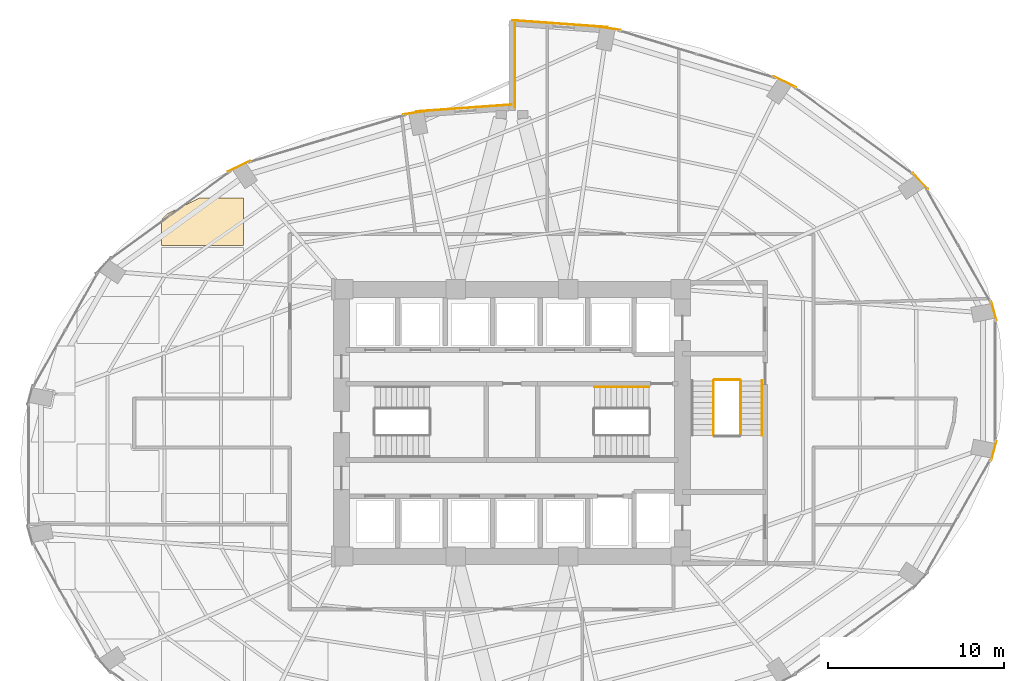
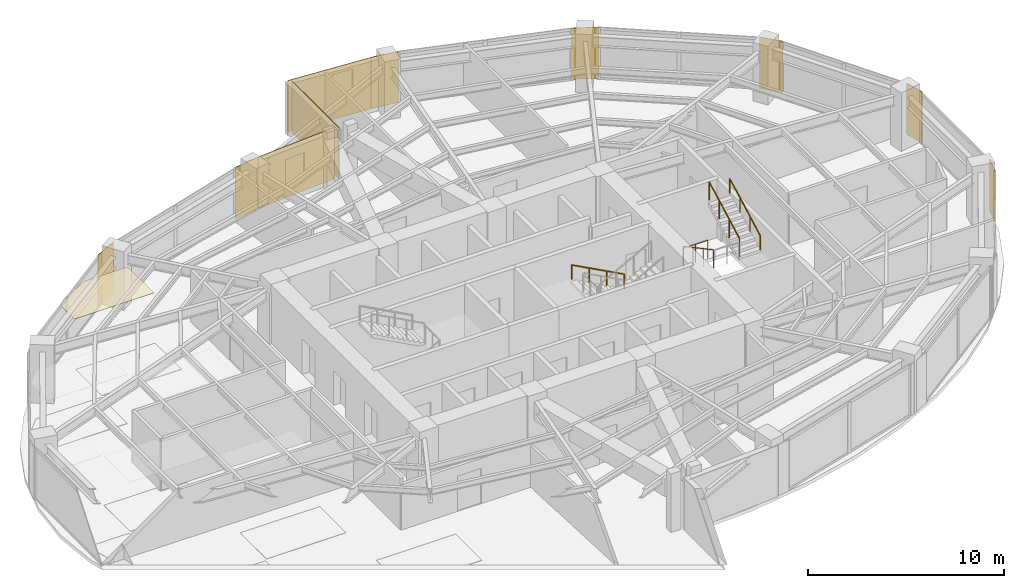
# One storey, part 24 of 24: 11 coverings, 5 railings.
"""IFC4 building model written with IfcOpenShell, lengths in metres."""

from ifc_helpers import new_model, si_unit, direction, frame, origin, origin_2d, place, context, subcontext, project, spatial, polyline, rectangle, circle, outline, extrude, material, layer, layer_set, type_object, element, save


model = new_model("IFC4")

# Units and contexts
model_context = context("Model", 3, precision=1e-05, world=origin(), true_north=direction((0.0, 1.0)))
body_context = subcontext(model_context, "Body", "Model", "MODEL_VIEW")
ifc_project = project(units=[si_unit("LENGTHUNIT", "METRE"), si_unit("AREAUNIT", "SQUARE_METRE"), si_unit("VOLUMEUNIT", "CUBIC_METRE"), si_unit("PLANEANGLEUNIT", "RADIAN"), si_unit("MASSUNIT", "GRAM", prefix="KILO")], contexts=[model_context])

# Site, building, storey
site_placement = place(None, origin())
site = spatial("IfcSite", under=ifc_project, at=site_placement, CompositionType="ELEMENT")
building_placement = place(site_placement, origin())
building = spatial("IfcBuilding", under=site, at=building_placement, Name="Lazwardi Medical Tower", CompositionType="ELEMENT")
storey_placement = place(building_placement, frame((0.0, 0.0, 72.6240234375)))
storey = spatial("IfcBuildingStorey", under=building, at=storey_placement, Name="L18", CompositionType="ELEMENT", Elevation=72.6240234375)

# Coverings
ifc_material_1 = material(Name="Anodised bronze aluminium cassette cladding", Category="aluminium")
ifc_layer_1 = layer(ifc_material_1, 0.030029296875)
ifc_layer_set_1 = layer_set([ifc_layer_1], Name="Anodised bronze aluminium cassette cladding")
covering_type_1 = type_object("IfcCoveringType", Name="COV-CLD-BRZ", PredefinedType="CLADDING", material=ifc_layer_set_1)
for number, where, z_axis, x_axis, name in (
    (1, (63.420654296875, 26.408203125, 0.0), (0.0, 0.0, 1.0), (0.262283496593, 0.964990863902, 0.0), "L18 Mega-column bronze cassette cover M04"),
    (2, (63.420654296875, 34.3916015625, 0.0), (0.0, 0.0, 1.0), (-0.262283496593, 0.964990863902, 0.0), "L18 Mega-column bronze cassette cover M05"),
):
    element("IfcCovering", number, at=place(storey_placement, frame(where, z_axis=z_axis, x_axis=x_axis)), inside=storey, type_object=covering_type_1, Name=name, PredefinedType="CLADDING", context=body_context, shape_type="SweptSolid", body=[
        extrude(rectangle(XDim=1.12548828125, YDim=0.030029296875, at=origin_2d()), origin(), (0.0, 0.0, 1.0), 3.197998046875),
    ])
covering_1_placement = place(storey_placement, frame((59.24609375, 41.767333984375, 0.0), z_axis=(0.0, 0.0, 1.0), x_axis=(-0.674252120961, 0.738501237223, 0.0)))
element("IfcCovering", 3, at=covering_1_placement, inside=storey, type_object=covering_type_1, Name="L18 Mega-column bronze cassette cover M06", PredefinedType="CLADDING", context=body_context, shape_type="SweptSolid", body=[
    extrude(rectangle(XDim=1.24658203125, YDim=0.030029296875, at=origin_2d()), origin(), (0.0, 0.0, 1.0), 3.197998046875),
])
covering_2_placement = place(storey_placement, frame((51.532470703125, 47.412353515625, 0.0), z_axis=(0.0, 0.0, 1.0), x_axis=(-0.898334492373, 0.439312121178, 0.0)))
element("IfcCovering", 4, at=covering_2_placement, inside=storey, type_object=covering_type_1, Name="L18 Mega-column bronze cassette cover M07", PredefinedType="CLADDING", context=body_context, shape_type="SweptSolid", body=[
    extrude(rectangle(XDim=1.400390625, YDim=0.030029296875, at=origin_2d()), origin(), (0.0, 0.0, 1.0), 3.197998046875),
])
for number, where, z_axis, x_axis, name in (
    (5, (41.454345703125, 50.46728515625, 0.0), (0.0, 0.0, 1.0), (-0.98957259946, 0.144034962415, 0.0), "L18 Mega-column bronze cassette cover M08"),
    (6, (30.545654296875, 45.66748046875, 0.0), (0.0, 0.0, 1.0), (-0.98957259946, -0.144034962415, 0.0), "L18 Mega-column bronze cassette cover M09"),
):
    element("IfcCovering", number, at=place(storey_placement, frame(where, z_axis=z_axis, x_axis=x_axis)), inside=storey, type_object=covering_type_1, Name=name, PredefinedType="CLADDING", context=body_context, shape_type="SweptSolid", body=[
        extrude(rectangle(XDim=1.49951171875, YDim=0.030029296875, at=origin_2d()), origin(), (0.0, 0.0, 1.0), 3.197998046875),
    ])
covering_3_placement = place(storey_placement, frame((20.467529296875, 42.6123046875, 0.0), z_axis=(0.0, 0.0, 1.0), x_axis=(-0.898334492373, -0.439312121178, 0.0)))
element("IfcCovering", 7, at=covering_3_placement, inside=storey, type_object=covering_type_1, Name="L18 Mega-column bronze cassette cover M10", PredefinedType="CLADDING", context=body_context, shape_type="SweptSolid", body=[
    extrude(rectangle(XDim=1.400390625, YDim=0.030029296875, at=origin_2d()), origin(), (0.0, 0.0, 1.0), 3.197998046875),
])
ifc_material_2 = material(Name="Turquoise glazed ceramic tilework cladding", Category="masonry")
ifc_layer_2 = layer(ifc_material_2, 0.034912109375)
ifc_layer_set_2 = layer_set([ifc_layer_2], Name="Turquoise glazed ceramic tilework cladding")
covering_type_2 = type_object("IfcCoveringType", Name="COV-CLD-TRQ", PredefinedType="CLADDING", material=ifc_layer_set_2)
covering_4_placement = place(storey_placement, frame((38.728271484375, 50.719482421875, 0.0), z_axis=(0.0, 0.0, 1.0), x_axis=(-0.997421404513, 0.071767275412, 0.0)))
element("IfcCovering", 8, at=covering_4_placement, inside=storey, type_object=covering_type_2, Name="L18 Turquoise glazed ceramic tilework cladding", PredefinedType="CLADDING", context=body_context, shape_type="SweptSolid", body=[
    extrude(rectangle(XDim=5.4453125, YDim=0.034912109375, at=origin_2d()), origin(), (0.0, 0.0, 1.0), 3.197998046875),
])
covering_5_placement = place(storey_placement, frame((33.271484375, 45.919677734375, 0.0), z_axis=(0.0, 0.0, 1.0), x_axis=(-0.997420903458, -0.071774238726, 0.0)))
element("IfcCovering", 9, at=covering_5_placement, inside=storey, type_object=covering_type_2, Name="L18 Turquoise glazed ceramic tilework cladding", PredefinedType="CLADDING", context=body_context, shape_type="SweptSolid", body=[
    extrude(rectangle(XDim=5.44482421875, YDim=0.034912109375, at=origin_2d()), origin(), (0.0, 0.0, 1.0), 3.197998046875),
])
covering_6_placement = place(storey_placement, frame((36.175537109375, 48.340087890625, 0.0), z_axis=(0.0, 0.0, 1.0), x_axis=(0.0, -1.0, 0.0)))
element("IfcCovering", 10, at=covering_6_placement, inside=storey, type_object=covering_type_2, Name="L18 Turquoise glazed ceramic tilework iwan panel", PredefinedType="CLADDING", context=body_context, shape_type="SweptSolid", body=[
    extrude(rectangle(XDim=4.800048828125, YDim=0.034912109375, at=origin_2d()), origin(), (0.0, 0.0, 1.0), 3.197998046875),
])
ifc_material_3 = material(Name="Acoustic mineral fibre tile")
ifc_layer_3 = layer(ifc_material_3, 0.02490234375)
ifc_layer_set_3 = layer_set([ifc_layer_3], Name="Acoustic mineral fibre tile")
covering_type_3 = type_object("IfcCoveringType", Name="COV-CLG-01", PredefinedType="CEILING", material=ifc_layer_set_3)
covering_7_placement = place(storey_placement, frame((0.0, 0.0, 3.052978515625)))
element("IfcCovering", 11, at=covering_7_placement, inside=storey, type_object=covering_type_3, Name="L18 Clinical Acoustic Ceiling 9", PredefinedType="CEILING", context=body_context, shape_type="SweptSolid", body=[
    extrude(outline(polyline([(18.19921875, 40.79248046875), (16.377197265625, 39.9033203125), (16.04296875, 39.537841796875), (16.04296875, 38.112548828125), (20.722900390625, 38.112548828125), (20.722900390625, 40.79248046875), (18.19921875, 40.79248046875)])), origin(), (0.0, 0.0, 1.0), 0.02490234375),
])

# Railings
ifc_material_4 = material(Name="Stainless steel Grade 316", Category="steel")
railing_type_1 = type_object("IfcRailingType", Name="RLG-GRD-1150", PredefinedType="GUARDRAIL", material=ifc_material_4)
railing_1_placement = place(storey_placement, frame((47.469970703125, 30.39990234375, 0.165771484375)))
element("IfcRailing", 12, at=railing_1_placement, inside=storey, type_object=railing_type_1, Name="L18 ST3 stair guard 1", PredefinedType="GUARDRAIL", context=body_context, shape_type="SweptSolid", body=[
    extrude(circle(Radius=0.02392578125, at=origin_2d()), frame((0.0, 0.0, 1.1259765625), z_axis=(0.0, -0.881767849116, 0.471683644262), x_axis=(1.0, 0.0, 0.0)), (0.0, 0.0, 1.0), 3.515380859375),
    extrude(circle(Radius=0.02099609375, at=origin_2d()), origin(), (0.0, 0.0, 1.0), 1.099853515625),
    extrude(circle(Radius=0.02099609375, at=origin_2d()), frame((0.0, -1.033203125, 0.552734375)), (0.0, 0.0, 1.0), 1.099853515625),
    extrude(circle(Radius=0.02099609375, at=origin_2d()), frame((0.0, -2.066650390625, 1.10546875)), (0.0, 0.0, 1.0), 1.099853515625),
    extrude(circle(Radius=0.02099609375, at=origin_2d()), frame((0.0, -3.099853515625, 1.658203125)), (0.0, 0.0, 1.0), 1.099853515625),
])
railing_2_placement = place(storey_placement, frame((49.010009765625, 27.300048828125, 1.98974609375)))
element("IfcRailing", 13, at=railing_2_placement, inside=storey, type_object=railing_type_1, Name="L18 ST3 stair guard 3", PredefinedType="GUARDRAIL", context=body_context, shape_type="SweptSolid", body=[
    extrude(circle(Radius=0.02392578125, at=origin_2d()), frame((0.0, 0.0, 1.1259765625), z_axis=(0.0, 0.881767849116, 0.471683644262), x_axis=(-1.0, 0.0, 0.0)), (0.0, 0.0, 1.0), 3.515380859375),
    extrude(circle(Radius=0.02099609375, at=origin_2d()), origin(), (0.0, 0.0, 1.0), 1.099853515625),
    extrude(circle(Radius=0.02099609375, at=origin_2d()), frame((0.0, 1.033203125, 0.552734375)), (0.0, 0.0, 1.0), 1.099853515625),
    extrude(circle(Radius=0.02099609375, at=origin_2d()), frame((0.0, 2.066650390625, 1.10546875)), (0.0, 0.0, 1.0), 1.099853515625),
    extrude(circle(Radius=0.02099609375, at=origin_2d()), frame((0.0, 3.099853515625, 1.658203125)), (0.0, 0.0, 1.0), 1.099853515625),
])
railing_3_placement = place(storey_placement, frame((47.52001953125, 30.449951171875, 0.0)))
element("IfcRailing", 14, at=railing_3_placement, inside=storey, type_object=railing_type_1, Name="L18 ST3 stair guard 4", PredefinedType="GUARDRAIL", context=body_context, shape_type="SweptSolid", body=[
    extrude(circle(Radius=0.02392578125, at=origin_2d()), frame((0.0, 0.0, 1.1259765625), z_axis=(1.0, 0.0, 0.0), x_axis=(0.0, 1.0, 0.0)), (0.0, 0.0, 1.0), 1.43994140625),
    extrude(circle(Radius=0.02099609375, at=origin_2d()), origin(), (0.0, 0.0, 1.0), 1.099853515625),
    extrude(circle(Radius=0.02099609375, at=origin_2d()), frame((0.719970703125, 0.0, 0.0)), (0.0, 0.0, 1.0), 1.099853515625),
    extrude(circle(Radius=0.02099609375, at=origin_2d()), frame((1.43994140625, 0.0, 0.0)), (0.0, 0.0, 1.0), 1.099853515625),
])
railing_type_2 = type_object("IfcRailingType", Name="RLG-HND-920", PredefinedType="HANDRAIL", material=ifc_material_4)
railing_4_placement = place(storey_placement, frame((43.800048828125, 30.050048828125, 0.165771484375)))
element("IfcRailing", 15, at=railing_4_placement, inside=storey, type_object=railing_type_2, Name="L18 ST2 stair handrail 1", PredefinedType="HANDRAIL", context=body_context, shape_type="SweptSolid", body=[
    extrude(circle(Radius=0.02392578125, at=origin_2d()), frame((0.0, 0.0, 0.8857421875), z_axis=(-0.881783298633, 0.0, 0.471654761719), x_axis=(0.0, -1.0, 0.0)), (0.0, 0.0, 1.0), 3.515625),
    extrude(circle(Radius=0.02099609375, at=origin_2d()), origin(), (0.0, 0.0, 1.0), 0.85986328125),
    extrude(circle(Radius=0.02099609375, at=origin_2d()), frame((-1.033447265625, 0.0, 0.552734375)), (0.0, 0.0, 1.0), 0.85986328125),
    extrude(circle(Radius=0.02099609375, at=origin_2d()), frame((-2.066650390625, 0.0, 1.10546875)), (0.0, 0.0, 1.0), 0.85986328125),
    extrude(circle(Radius=0.02099609375, at=origin_2d()), frame((-3.10009765625, 0.0, 1.658203125)), (0.0, 0.0, 1.0), 0.85986328125),
])
railing_5_placement = place(storey_placement, frame((50.22998046875, 27.300048828125, 1.98974609375)))
element("IfcRailing", 16, at=railing_5_placement, inside=storey, type_object=railing_type_2, Name="L18 ST3 stair handrail 2", PredefinedType="HANDRAIL", context=body_context, shape_type="SweptSolid", body=[
    extrude(circle(Radius=0.02392578125, at=origin_2d()), frame((0.0, 0.0, 0.8857421875), z_axis=(0.0, 0.881767849116, 0.471683644262), x_axis=(-1.0, 0.0, 0.0)), (0.0, 0.0, 1.0), 3.515380859375),
    extrude(circle(Radius=0.02099609375, at=origin_2d()), origin(), (0.0, 0.0, 1.0), 0.85986328125),
    extrude(circle(Radius=0.02099609375, at=origin_2d()), frame((0.0, 1.033203125, 0.552734375)), (0.0, 0.0, 1.0), 0.85986328125),
    extrude(circle(Radius=0.02099609375, at=origin_2d()), frame((0.0, 2.066650390625, 1.10546875)), (0.0, 0.0, 1.0), 0.85986328125),
    extrude(circle(Radius=0.02099609375, at=origin_2d()), frame((0.0, 3.099853515625, 1.658203125)), (0.0, 0.0, 1.0), 0.85986328125),
])

save(model, "model.ifc")
